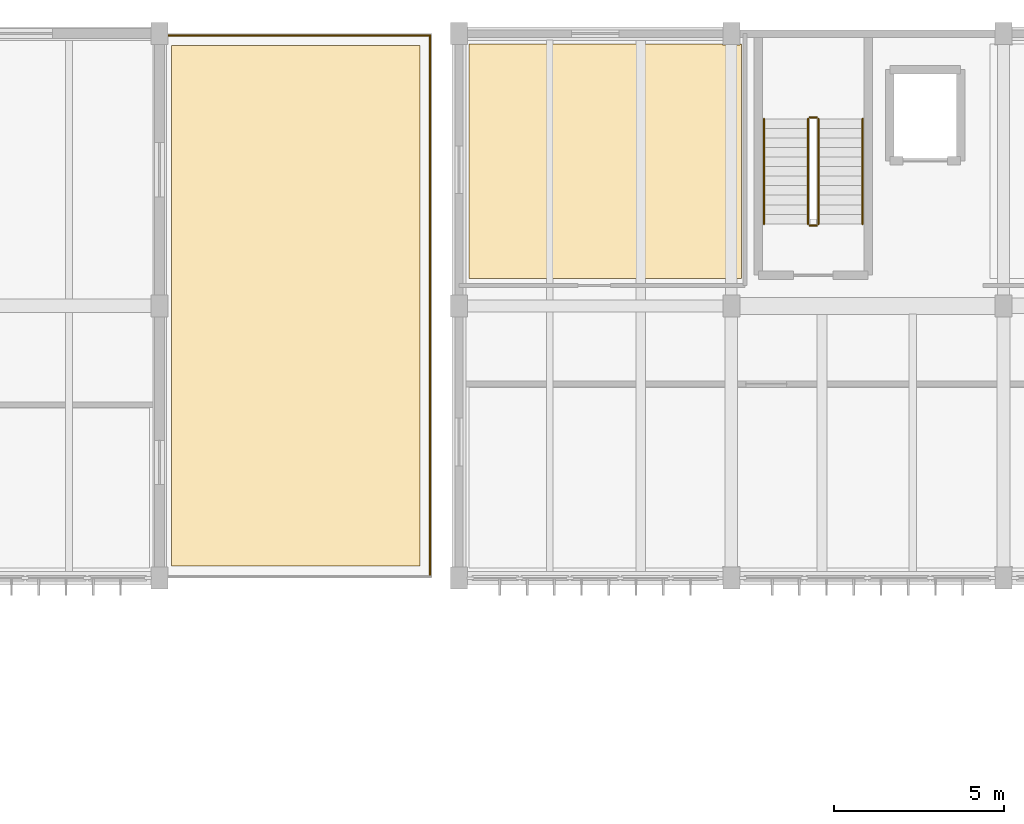
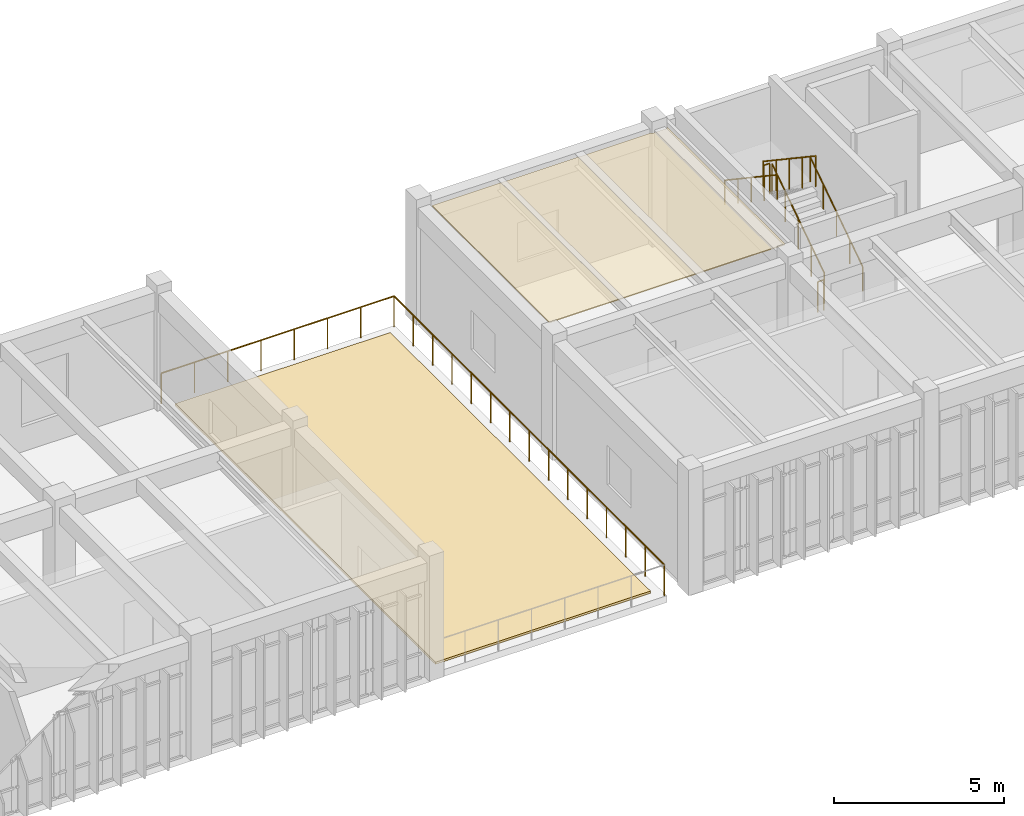
# One storey, part 69 of 72: 8 railings, 2 coverings.
"""IFC4 building model written with IfcOpenShell, lengths in metres."""

import ifcopenshell
import ifcopenshell.guid

model = None  # the IFC model being written
_history = None  # IfcOwnerHistory: only IFC2X3 demands one
_inside = {}  # id of a spatial element -> (the spatial element, [elements in it])
_under = {}  # id of a project, library or spatial element -> (it, [spatial elements below it])
_declared = {}  # id of a project -> (the project, [libraries it declares])
_typed = {}  # id of a type object -> (the type object, [elements of that type])
_made_of = {}  # id of a material, layer set ... -> (it, [elements and type objects made of it])


def new_model(schema):
    """Start an empty IFC model of exactly this schema.

    Asked for "IFC4X3", IfcOpenShell would pick the latest addendum, in which some entities
    have other attributes; the version numbers below select the first issue.
    IFC2X3 requires an IfcOwnerHistory on every rooted entity: one is made here for all.
    """
    global model, _history
    if schema == "IFC4X3":
        model = ifcopenshell.file(schema_version=(4, 3, 0, 0))
    else:
        model = ifcopenshell.file(schema=schema)
    _inside.clear()
    _under.clear()
    _declared.clear()
    _typed.clear()
    _made_of.clear()
    _history = None
    if model.schema == "IFC2X3":
        org = make("IfcOrganization", Name="unknown")
        user = make(
            "IfcPersonAndOrganization",
            ThePerson=make("IfcPerson", FamilyName="unknown"),
            TheOrganization=org,
        )
        app = make(
            "IfcApplication",
            ApplicationDeveloper=org,
            Version="unknown",
            ApplicationFullName="unknown",
            ApplicationIdentifier="unknown",
        )
        _history = make(
            "IfcOwnerHistory",
            OwningUser=user,
            OwningApplication=app,
            ChangeAction="ADDED",
            CreationDate=0,
        )
    return model


def make(cls, **values):
    """One entity of the class cls with the attributes given. An attribute that is None is left unset."""
    return model.create_entity(
        cls, **{name: value for name, value in values.items() if value is not None}
    )


def rooted(cls, **values):
    """An entity with a GlobalId (a new one), such as an element, a storey or a relation."""
    return make(cls, GlobalId=ifcopenshell.guid.new(), OwnerHistory=_history, **values)


def si_unit(unit_type, name, prefix=None):
    """IfcSIUnit, for example si_unit("LENGTHUNIT", "METRE", prefix="MILLI")."""
    return make("IfcSIUnit", UnitType=unit_type, Prefix=prefix, Name=name)


def assignment(units):
    """IfcUnitAssignment: the units of a project."""
    return None if units is None else make("IfcUnitAssignment", Units=units)


def point(xyz):
    """IfcCartesianPoint."""
    return None if xyz is None else make("IfcCartesianPoint", Coordinates=xyz)


def direction(xyz):
    """IfcDirection."""
    return None if xyz is None else make("IfcDirection", DirectionRatios=xyz)


def frame(location, z_axis=None, x_axis=None):
    """IfcAxis2Placement3D, a coordinate frame: its origin and axes. An axis left out is left unset."""
    return make(
        "IfcAxis2Placement3D",
        Location=point(location),
        Axis=direction(z_axis),
        RefDirection=direction(x_axis),
    )


def frame_2d(location, x_axis=None):
    """IfcAxis2Placement2D, a coordinate frame in the plane: its origin and x axis."""
    return make(
        "IfcAxis2Placement2D", Location=point(location), RefDirection=direction(x_axis)
    )


def origin():
    """The frame at (0, 0, 0) with its axes left unset."""
    return frame((0.0, 0.0, 0.0))


def origin_2d():
    """The frame at (0, 0) in the plane with its x axis left unset."""
    return frame_2d((0.0, 0.0))


def place(relative_to, where):
    """IfcLocalPlacement: puts the frame where relative to a parent placement (None: the world)."""
    return make(
        "IfcLocalPlacement", PlacementRelTo=relative_to, RelativePlacement=where
    )


def context(
    kind, dimensions, precision=None, world=None, true_north=None, identifier=None
):
    """IfcGeometricRepresentationContext, for example the 3D "Model" context."""
    return make(
        "IfcGeometricRepresentationContext",
        ContextIdentifier=identifier,
        ContextType=kind,
        CoordinateSpaceDimension=dimensions,
        Precision=precision,
        WorldCoordinateSystem=world,
        TrueNorth=true_north,
    )


def subcontext(parent, identifier, kind, view, scale=None):
    """IfcGeometricRepresentationSubContext, for example "Body" below "Model"."""
    return make(
        "IfcGeometricRepresentationSubContext",
        ContextIdentifier=identifier,
        ContextType=kind,
        ParentContext=parent,
        TargetScale=scale,
        TargetView=view,
    )


def project(units=None, contexts=None):
    """IfcProject with its units and contexts."""
    return rooted(
        "IfcProject",
        Name="project",
        RepresentationContexts=contexts,
        UnitsInContext=assignment(units),
    )


def spatial(cls, under=None, at=None, **own):
    """A site, building, storey or space (cls), placed at a placement, below another one or the project."""
    s = rooted(cls, ObjectPlacement=at, **own)
    if under is not None:
        _under.setdefault(under.id(), (under, []))[1].append(s)
    return s


def polyline(points):
    """IfcPolyline through the points."""
    return make("IfcPolyline", Points=[point(p) for p in points])


def profile(cls, at=None, kind="AREA", **sizes):
    """A parametric profile (cls). Its sizes go by their IFC names, for example OverallWidth=200.0."""
    return make(cls, ProfileType=kind, Position=at, **sizes)


def circle(**sizes):
    """IfcCircleProfileDef."""
    return profile("IfcCircleProfileDef", **sizes)


def outline(outer, holes=None, kind="AREA"):
    """IfcArbitraryClosedProfileDef: a profile drawn as a closed curve; with holes, ...WithVoids."""
    if holes is None:
        return make("IfcArbitraryClosedProfileDef", ProfileType=kind, OuterCurve=outer)
    return make(
        "IfcArbitraryProfileDefWithVoids",
        ProfileType=kind,
        OuterCurve=outer,
        InnerCurves=holes,
    )


def extrude(swept, where, along, depth):
    """IfcExtrudedAreaSolid: the profile swept, set in the frame where, extruded along a direction by depth."""
    return make(
        "IfcExtrudedAreaSolid",
        SweptArea=swept,
        Position=where,
        ExtrudedDirection=direction(along),
        Depth=depth,
    )


def shape(context_of_items, identifier, shape_type, items):
    """IfcShapeRepresentation: the items that make up one representation, for example the "Body"."""
    return make(
        "IfcShapeRepresentation",
        ContextOfItems=context_of_items,
        RepresentationIdentifier=identifier,
        RepresentationType=shape_type,
        Items=items,
    )


def material(Name=None, Category=None):
    """IfcMaterial."""
    return make("IfcMaterial", Name=Name, Category=Category)


def layer(
    of_material, thickness, ventilated=None, Name=None, Category=None, Priority=None
):
    """IfcMaterialLayer: one layer of a wall or slab, of a material (None: an air gap)."""
    return make(
        "IfcMaterialLayer",
        Material=of_material,
        LayerThickness=thickness,
        IsVentilated=ventilated,
        Name=Name,
        Category=Category,
        Priority=Priority,
    )


def layer_set(layers, Name=None):
    """IfcMaterialLayerSet."""
    return make("IfcMaterialLayerSet", MaterialLayers=layers, LayerSetName=Name)


def made_of(thing, what):
    """Note that an element or type object is made of a material, layer set ...; save() writes the relation."""
    if what is not None:
        _made_of.setdefault(what.id(), (what, []))[1].append(thing)
    return thing


def type_object(cls, material=None, **own):
    """A type object (cls), such as IfcWallType, which elements share."""
    return made_of(rooted(cls, **own), material)


def element(
    cls,
    number,
    at=None,
    inside=None,
    cuts=None,
    type_object=None,
    material=None,
    context=None,
    identifier="Body",
    shape_type=None,
    held_by="IfcProductDefinitionShape",
    body=None,
    shapes=None,
    **own,
):
    """One element of the class cls, such as IfcWall. Its Tag is "e" and its number.

    at: its placement. inside: the storey or other place that contains it. cuts: it is an
    opening in that element (IfcRelVoidsElement). A single representation is given by context,
    identifier, shape_type and body (its items); several are given by shapes. held_by: the class
    of the entity that holds the representations. save() writes the other relations.
    """
    e = rooted(cls, Tag="e%d" % number, ObjectPlacement=at, **own)
    if body is not None:
        shapes = [shape(context, identifier, shape_type, body)]
    if shapes is not None:
        e.Representation = make(held_by, Representations=shapes)
    if inside is not None:
        _inside.setdefault(inside.id(), (inside, []))[1].append(e)
    if cuts is not None:
        rooted(
            "IfcRelVoidsElement", RelatingBuildingElement=cuts, RelatedOpeningElement=e
        )
    if type_object is not None:
        _typed.setdefault(type_object.id(), (type_object, []))[1].append(e)
    return made_of(e, material)


def aggregate(whole, parts):
    """IfcRelAggregates: a whole, such as a stair, and the parts it consists of."""
    return rooted("IfcRelAggregates", RelatingObject=whole, RelatedObjects=parts)


def save(model, path):
    """Write the relations noted so far, then the file.

    IfcRelAggregates (storeys below a building ...), IfcRelContainedInSpatialStructure (elements
    in a storey), IfcRelDefinesByType, IfcRelAssociatesMaterial and IfcRelDeclares: one each for
    every whole, place, type object, material and project.
    """
    for whole, parts in _under.values():
        aggregate(whole, parts)
    for where, things in _inside.values():
        rooted(
            "IfcRelContainedInSpatialStructure",
            RelatedElements=things,
            RelatingStructure=where,
        )
    for kind, things in _typed.values():
        rooted("IfcRelDefinesByType", RelatedObjects=things, RelatingType=kind)
    for what, things in _made_of.values():
        rooted("IfcRelAssociatesMaterial", RelatedObjects=things, RelatingMaterial=what)
    for by, libraries in _declared.values():
        rooted("IfcRelDeclares", RelatingContext=by, RelatedDefinitions=libraries)
    model.write(path)


model = new_model("IFC4")

# Units and contexts
model_context = context("Model", 3, precision=1e-05, world=origin(), true_north=direction((0.0, 1.0)))
body_context = subcontext(model_context, "Body", "Model", "MODEL_VIEW")
ifc_project = project(units=[si_unit("LENGTHUNIT", "METRE"), si_unit("AREAUNIT", "SQUARE_METRE"), si_unit("VOLUMEUNIT", "CUBIC_METRE"), si_unit("PLANEANGLEUNIT", "RADIAN"), si_unit("MASSUNIT", "GRAM", prefix="KILO")], contexts=[model_context])

# Site, building, storey
site_placement = place(None, origin())
site = spatial("IfcSite", under=ifc_project, at=site_placement, CompositionType="ELEMENT")
building_placement = place(site_placement, origin())
building = spatial("IfcBuilding", under=site, at=building_placement, Name="Tlaxcora Railside Police Headquarters", CompositionType="ELEMENT")
storey_placement = place(building_placement, frame((0.0, 0.0, 13.5)))
storey = spatial("IfcBuildingStorey", under=building, at=storey_placement, Name="L03", CompositionType="ELEMENT", Elevation=13.5)

# Coverings
ifc_material_1 = material(Name="Mineral-fibre acoustic ceiling tile")
ifc_layer_1 = layer(ifc_material_1, 0.034912109375, Name="Mineral-fibre acoustic ceiling tile")
ifc_layer_set_1 = layer_set([ifc_layer_1], Name="Mineral-fibre acoustic ceiling tile")
covering_type_1 = type_object("IfcCoveringType", Name="Acoustic Suspended Ceiling CLG-01", PredefinedType="CEILING", material=ifc_layer_set_1)
covering_1_placement = place(storey_placement, frame((0.0, 0.0, 4.06494140625)))
element("IfcCovering", 1, at=covering_1_placement, inside=storey, type_object=covering_type_1, Name="Accessible WC and Lab Restrooms L03 suspended ceiling", PredefinedType="CEILING", context=body_context, shape_type="SweptSolid", body=[
    extrude(outline(polyline([(103.10009765625, 92.5), (103.10009765625, 85.60009765625), (111.10009765625, 85.60009765625), (111.10009765625, 92.5), (111.06005859375, 92.5), (111.06005859375, 92.465087890625), (110.5400390625, 92.465087890625), (110.5400390625, 92.5), (103.10009765625, 92.5)])), origin(), (0.0, 0.0, 1.0), 0.03515625),
])
ifc_material_2 = material(Name="Modified EPDM waterproofing and volcanic-ash protection membrane")
ifc_layer_2 = layer(ifc_material_2, 0.080078125, Name="Modified EPDM waterproofing and volcanic-ash protection membrane")
ifc_layer_set_2 = layer_set([ifc_layer_2], Name="Modified EPDM waterproofing and volcanic-ash protection membrane")
covering_type_2 = type_object("IfcCoveringType", Name="Planted Roof Garden Waterproofing RF-01", PredefinedType="ROOFING", material=ifc_layer_set_2)
covering_2_placement = place(storey_placement, origin())
element("IfcCovering", 2, at=covering_2_placement, inside=storey, type_object=covering_type_2, Name="TERR-V5-L03-E planted waterproofing layer", PredefinedType="ROOFING", context=body_context, shape_type="SweptSolid", body=[
    extrude(outline(polyline([(101.64990234375, 77.14990234375), (101.64990234375, 92.449951171875), (94.35009765625, 92.449951171875), (94.35009765625, 77.14990234375), (101.64990234375, 77.14990234375)])), origin(), (0.0, 0.0, 1.0), 0.080078125),
])

# Railings
ifc_material_3 = material(Name="Steel ASTM A992 Grade 50", Category="steel")
railing_type_1 = type_object("IfcRailingType", Name="Stair Well Guard Balustrade GR-02", PredefinedType="BALUSTRADE", material=ifc_material_3)
railing_1_placement = place(storey_placement, frame((113.360107421875, 87.2099609375, 0.1875)))
element("IfcRailing", 3, at=railing_1_placement, inside=storey, type_object=railing_type_1, Name="L03 ST3 stair guard 1", PredefinedType="BALUSTRADE", context=body_context, shape_type="SweptSolid", body=[
    extrude(circle(Radius=0.02392578125, at=origin_2d()), frame((0.0, 0.0, 1.09619140625), z_axis=(0.0, 0.830913701846, 0.55640131208), x_axis=(-1.0, 0.0, 0.0)), (0.0, 0.0, 1.0), 3.706787109375),
    extrude(circle(Radius=0.02099609375, at=origin_2d()), origin(), (0.0, 0.0, 1.0), 1.072021484375),
    extrude(circle(Radius=0.02099609375, at=origin_2d()), frame((0.0, 0.77001953125, 0.515625)), (0.0, 0.0, 1.0), 1.072021484375),
    extrude(circle(Radius=0.02099609375, at=origin_2d()), frame((0.0, 1.5400390625, 1.03125)), (0.0, 0.0, 1.0), 1.072021484375),
    extrude(circle(Radius=0.02099609375, at=origin_2d()), frame((0.0, 2.31005859375, 1.546875)), (0.0, 0.0, 1.0), 1.072021484375),
    extrude(circle(Radius=0.02099609375, at=origin_2d()), frame((0.0, 3.080078125, 2.0625)), (0.0, 0.0, 1.0), 1.072021484375),
])
railing_2_placement = place(storey_placement, frame((113.31005859375, 90.340087890625, 2.25)))
element("IfcRailing", 4, at=railing_2_placement, inside=storey, type_object=railing_type_1, Name="L03 ST3 stair guard 2", PredefinedType="BALUSTRADE", context=body_context, shape_type="SweptSolid", body=[
    extrude(circle(Radius=0.02392578125, at=origin_2d()), frame((0.0, 0.0, 1.09619140625), z_axis=(-1.0, 0.0, 0.0), x_axis=(0.0, -1.0, 0.0)), (0.0, 0.0, 1.0), 0.199951171875),
    extrude(circle(Radius=0.02099609375, at=origin_2d()), origin(), (0.0, 0.0, 1.0), 1.072021484375),
    extrude(circle(Radius=0.02099609375, at=origin_2d()), frame((-0.199951171875, 0.0, 0.0)), (0.0, 0.0, 1.0), 1.072021484375),
])
railing_3_placement = place(storey_placement, frame((113.06005859375, 90.2900390625, 2.4375)))
element("IfcRailing", 5, at=railing_3_placement, inside=storey, type_object=railing_type_1, Name="L03 ST3 stair guard 3", PredefinedType="BALUSTRADE", context=body_context, shape_type="SweptSolid", body=[
    extrude(circle(Radius=0.02392578125, at=origin_2d()), frame((0.0, 0.0, 1.09619140625), z_axis=(0.0, -0.830913701846, 0.55640131208), x_axis=(1.0, 0.0, 0.0)), (0.0, 0.0, 1.0), 3.706787109375),
    extrude(circle(Radius=0.02099609375, at=origin_2d()), origin(), (0.0, 0.0, 1.0), 1.072021484375),
    extrude(circle(Radius=0.02099609375, at=origin_2d()), frame((0.0, -0.77001953125, 0.515625)), (0.0, 0.0, 1.0), 1.072021484375),
    extrude(circle(Radius=0.02099609375, at=origin_2d()), frame((0.0, -1.5400390625, 1.03125)), (0.0, 0.0, 1.0), 1.072021484375),
    extrude(circle(Radius=0.02099609375, at=origin_2d()), frame((0.0, -2.31005859375, 1.546875)), (0.0, 0.0, 1.0), 1.072021484375),
    extrude(circle(Radius=0.02099609375, at=origin_2d()), frame((0.0, -3.080078125, 2.0625)), (0.0, 0.0, 1.0), 1.072021484375),
])
railing_4_placement = place(storey_placement, frame((113.31005859375, 87.159912109375, 0.0)))
element("IfcRailing", 6, at=railing_4_placement, inside=storey, type_object=railing_type_1, Name="L03 ST3 stair guard 4", PredefinedType="BALUSTRADE", context=body_context, shape_type="SweptSolid", body=[
    extrude(circle(Radius=0.02392578125, at=origin_2d()), frame((0.0, 0.0, 1.09619140625), z_axis=(-1.0, 0.0, 0.0), x_axis=(0.0, -1.0, 0.0)), (0.0, 0.0, 1.0), 0.199951171875),
    extrude(circle(Radius=0.02099609375, at=origin_2d()), origin(), (0.0, 0.0, 1.0), 1.072021484375),
    extrude(circle(Radius=0.02099609375, at=origin_2d()), frame((-0.199951171875, 0.0, 0.0)), (0.0, 0.0, 1.0), 1.072021484375),
])
railing_type_2 = type_object("IfcRailingType", Name="Stair and Ramp Handrail HR-01", PredefinedType="HANDRAIL", material=ifc_material_3)
railing_5_placement = place(storey_placement, frame((114.659912109375, 87.2099609375, 0.1875)))
element("IfcRailing", 7, at=railing_5_placement, inside=storey, type_object=railing_type_2, Name="L03 ST3 stair handrail 1", PredefinedType="HANDRAIL", context=body_context, shape_type="SweptSolid", body=[
    extrude(circle(Radius=0.02392578125, at=origin_2d()), frame((0.0, 0.0, 0.8759765625), z_axis=(0.0, 0.830913701846, 0.55640131208), x_axis=(-1.0, 0.0, 0.0)), (0.0, 0.0, 1.0), 3.706787109375),
    extrude(circle(Radius=0.02099609375, at=origin_2d()), origin(), (0.0, 0.0, 1.0), 0.851806640625),
    extrude(circle(Radius=0.02099609375, at=origin_2d()), frame((0.0, 0.77001953125, 0.515625)), (0.0, 0.0, 1.0), 0.851806640625),
    extrude(circle(Radius=0.02099609375, at=origin_2d()), frame((0.0, 1.5400390625, 1.03125)), (0.0, 0.0, 1.0), 0.851806640625),
    extrude(circle(Radius=0.02099609375, at=origin_2d()), frame((0.0, 2.31005859375, 1.546875)), (0.0, 0.0, 1.0), 0.851806640625),
    extrude(circle(Radius=0.02099609375, at=origin_2d()), frame((0.0, 3.080078125, 2.0625)), (0.0, 0.0, 1.0), 0.851806640625),
])
railing_6_placement = place(storey_placement, frame((111.760009765625, 90.2900390625, 2.4375)))
element("IfcRailing", 8, at=railing_6_placement, inside=storey, type_object=railing_type_2, Name="L03 ST3 stair handrail 2", PredefinedType="HANDRAIL", context=body_context, shape_type="SweptSolid", body=[
    extrude(circle(Radius=0.02392578125, at=origin_2d()), frame((0.0, 0.0, 0.8759765625), z_axis=(0.0, -0.830913701846, 0.55640131208), x_axis=(1.0, 0.0, 0.0)), (0.0, 0.0, 1.0), 3.706787109375),
    extrude(circle(Radius=0.02099609375, at=origin_2d()), origin(), (0.0, 0.0, 1.0), 0.851806640625),
    extrude(circle(Radius=0.02099609375, at=origin_2d()), frame((0.0, -0.77001953125, 0.515625)), (0.0, 0.0, 1.0), 0.851806640625),
    extrude(circle(Radius=0.02099609375, at=origin_2d()), frame((0.0, -1.5400390625, 1.03125)), (0.0, 0.0, 1.0), 0.851806640625),
    extrude(circle(Radius=0.02099609375, at=origin_2d()), frame((0.0, -2.31005859375, 1.546875)), (0.0, 0.0, 1.0), 0.851806640625),
    extrude(circle(Radius=0.02099609375, at=origin_2d()), frame((0.0, -3.080078125, 2.0625)), (0.0, 0.0, 1.0), 0.851806640625),
])
railing_type_3 = type_object("IfcRailingType", Name="Terrace Perimeter Guard Balustrade GR-01", PredefinedType="BALUSTRADE", material=ifc_material_3)
railing_7_placement = place(storey_placement, frame((101.949951171875, 76.85009765625, 0.0)))
element("IfcRailing", 9, at=railing_7_placement, inside=storey, type_object=railing_type_3, Name="TERR-V5-L03-E perimeter guard 2", PredefinedType="BALUSTRADE", context=body_context, shape_type="SweptSolid", body=[
    extrude(circle(Radius=0.02392578125, at=origin_2d()), frame((0.0, 0.0, 1.09619140625), z_axis=(0.0, 1.0, 0.0), x_axis=(-1.0, 0.0, 0.0)), (0.0, 0.0, 1.0), 15.89990234375),
    extrude(circle(Radius=0.02099609375, at=origin_2d()), origin(), (0.0, 0.0, 1.0), 1.072021484375),
    extrude(circle(Radius=0.02099609375, at=origin_2d()), frame((0.0, 1.1357421875, 0.0)), (0.0, 0.0, 1.0), 1.072021484375),
    extrude(circle(Radius=0.02099609375, at=origin_2d()), frame((0.0, 2.271484375, 0.0)), (0.0, 0.0, 1.0), 1.072021484375),
    extrude(circle(Radius=0.02099609375, at=origin_2d()), frame((0.0, 3.4072265625, 0.0)), (0.0, 0.0, 1.0), 1.072021484375),
    extrude(circle(Radius=0.02099609375, at=origin_2d()), frame((0.0, 4.542724609375, 0.0)), (0.0, 0.0, 1.0), 1.072021484375),
    extrude(circle(Radius=0.02099609375, at=origin_2d()), frame((0.0, 5.678466796875, 0.0)), (0.0, 0.0, 1.0), 1.072021484375),
    extrude(circle(Radius=0.02099609375, at=origin_2d()), frame((0.0, 6.814208984375, 0.0)), (0.0, 0.0, 1.0), 1.072021484375),
    extrude(circle(Radius=0.02099609375, at=origin_2d()), frame((0.0, 7.949951171875, 0.0)), (0.0, 0.0, 1.0), 1.072021484375),
    extrude(circle(Radius=0.02099609375, at=origin_2d()), frame((0.0, 9.085693359375, 0.0)), (0.0, 0.0, 1.0), 1.072021484375),
    extrude(circle(Radius=0.02099609375, at=origin_2d()), frame((0.0, 10.221435546875, 0.0)), (0.0, 0.0, 1.0), 1.072021484375),
    extrude(circle(Radius=0.02099609375, at=origin_2d()), frame((0.0, 11.357177734375, 0.0)), (0.0, 0.0, 1.0), 1.072021484375),
    extrude(circle(Radius=0.02099609375, at=origin_2d()), frame((0.0, 12.49267578125, 0.0)), (0.0, 0.0, 1.0), 1.072021484375),
    extrude(circle(Radius=0.02099609375, at=origin_2d()), frame((0.0, 13.62841796875, 0.0)), (0.0, 0.0, 1.0), 1.072021484375),
    extrude(circle(Radius=0.02099609375, at=origin_2d()), frame((0.0, 14.76416015625, 0.0)), (0.0, 0.0, 1.0), 1.072021484375),
    extrude(circle(Radius=0.02099609375, at=origin_2d()), frame((0.0, 15.89990234375, 0.0)), (0.0, 0.0, 1.0), 1.072021484375),
])
railing_8_placement = place(storey_placement, frame((101.949951171875, 92.75, 0.0)))
element("IfcRailing", 10, at=railing_8_placement, inside=storey, type_object=railing_type_3, Name="TERR-V5-L03-E perimeter guard 3", PredefinedType="BALUSTRADE", context=body_context, shape_type="SweptSolid", body=[
    extrude(circle(Radius=0.02392578125, at=origin_2d()), frame((0.0, 0.0, 1.09619140625), z_axis=(-1.0, 0.0, 0.0), x_axis=(0.0, -1.0, 0.0)), (0.0, 0.0, 1.0), 7.89990234375),
    extrude(circle(Radius=0.02099609375, at=origin_2d()), origin(), (0.0, 0.0, 1.0), 1.072021484375),
    extrude(circle(Radius=0.02099609375, at=origin_2d()), frame((-1.128662109375, 0.0, 0.0)), (0.0, 0.0, 1.0), 1.072021484375),
    extrude(circle(Radius=0.02099609375, at=origin_2d()), frame((-2.257080078125, 0.0, 0.0)), (0.0, 0.0, 1.0), 1.072021484375),
    extrude(circle(Radius=0.02099609375, at=origin_2d()), frame((-3.3857421875, 0.0, 0.0)), (0.0, 0.0, 1.0), 1.072021484375),
    extrude(circle(Radius=0.02099609375, at=origin_2d()), frame((-4.51416015625, 0.0, 0.0)), (0.0, 0.0, 1.0), 1.072021484375),
    extrude(circle(Radius=0.02099609375, at=origin_2d()), frame((-5.642822265625, 0.0, 0.0)), (0.0, 0.0, 1.0), 1.072021484375),
    extrude(circle(Radius=0.02099609375, at=origin_2d()), frame((-6.771240234375, 0.0, 0.0)), (0.0, 0.0, 1.0), 1.072021484375),
    extrude(circle(Radius=0.02099609375, at=origin_2d()), frame((-7.89990234375, 0.0, 0.0)), (0.0, 0.0, 1.0), 1.072021484375),
])

save(model, "model.ifc")
